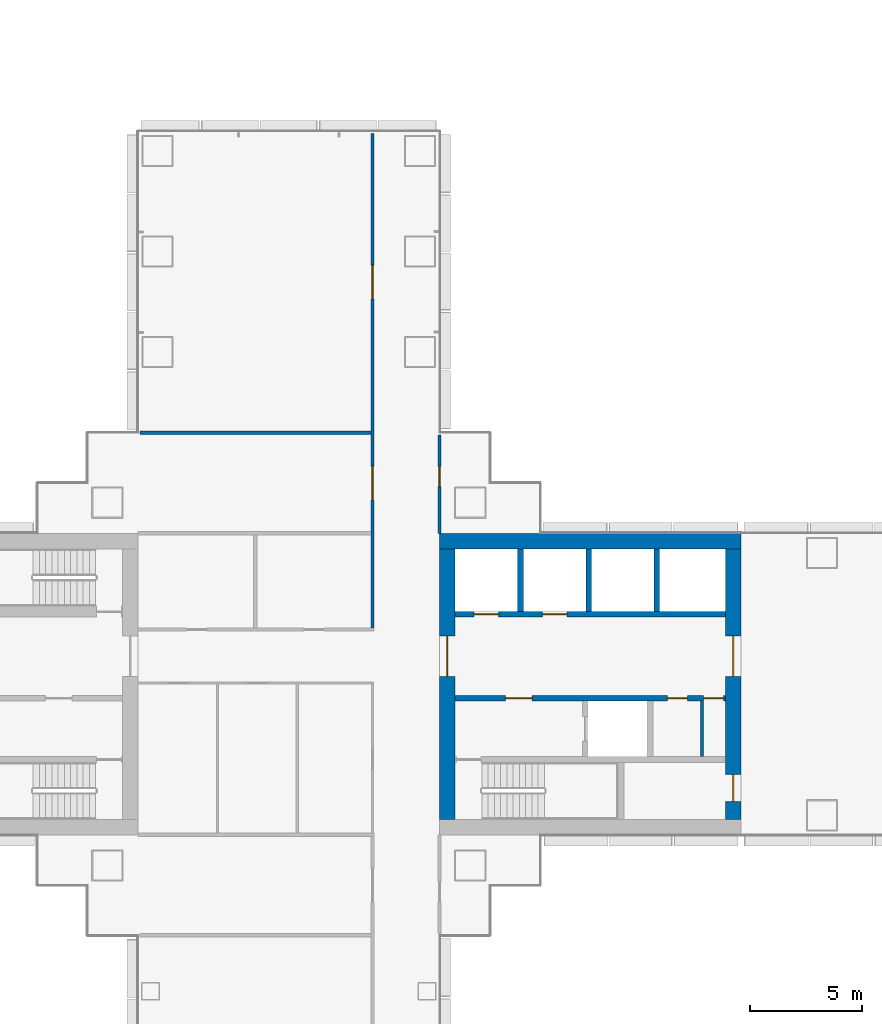
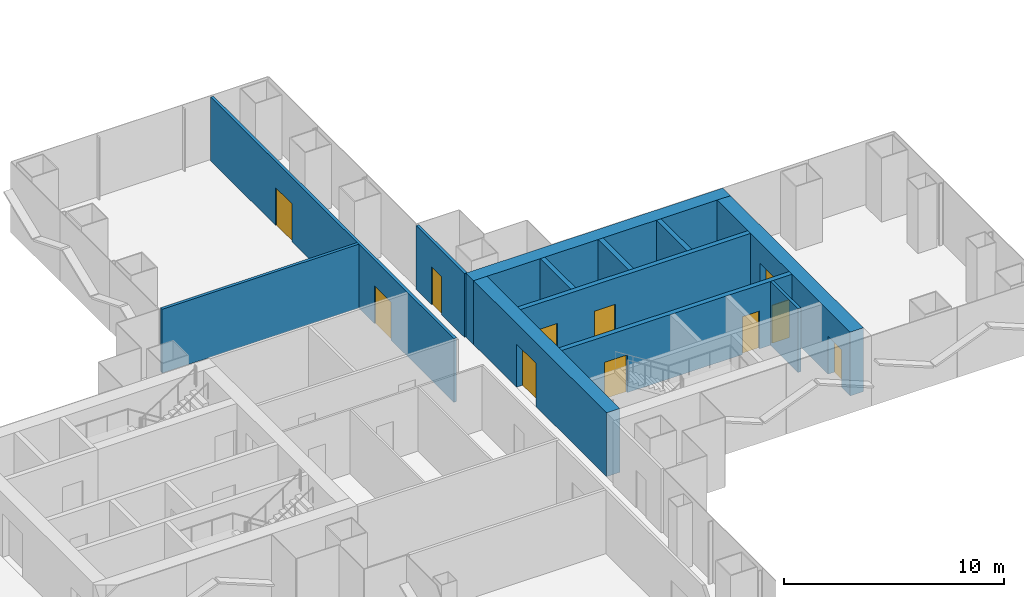
# One storey, part 14 of 21: 12 walls, 11 doors, 11 openings.
"""IFC4 building model written with IfcOpenShell, lengths in metres."""

from ifc_helpers import new_model, si_unit, direction, frame, frame_2d, origin, place, context, subcontext, project, spatial, rectangle, extrude, material, layer, layer_set, type_object, element, fill, save


model = new_model("IFC4")

# Units and contexts
model_context = context("Model", 3, precision=1e-05, world=origin(), true_north=direction((0.0, 1.0)))
body_context = subcontext(model_context, "Body", "Model", "MODEL_VIEW")
ifc_project = project(units=[si_unit("LENGTHUNIT", "METRE"), si_unit("AREAUNIT", "SQUARE_METRE"), si_unit("VOLUMEUNIT", "CUBIC_METRE"), si_unit("PLANEANGLEUNIT", "RADIAN"), si_unit("MASSUNIT", "GRAM", prefix="KILO")], contexts=[model_context])

# Site, building, storey
site_placement = place(None, origin())
site = spatial("IfcSite", under=ifc_project, at=site_placement, CompositionType="ELEMENT")
building_placement = place(site_placement, origin())
building = spatial("IfcBuilding", under=site, at=building_placement, Name="Shamsa Quay Exchange Towers", CompositionType="ELEMENT")
storey_placement = place(building_placement, frame((0.0, 0.0, 57.60009765625)))
storey = spatial("IfcBuildingStorey", under=building, at=storey_placement, Name="L12", CompositionType="ELEMENT", Elevation=57.60009765625)

# Wall
ifc_material_1 = material(Name="Concrete C80/95", Category="concrete")
ifc_layer_1 = layer(ifc_material_1, 0.699951171875)
ifc_layer_set_1 = layer_set([ifc_layer_1], Name="CORE WALL 700 C80/95")
wall_type_1 = type_object("IfcWallType", Name="CORE WALL 700 C80/95", PredefinedType="SHEAR", material=ifc_layer_set_1)
wall_1_placement = place(storey_placement, frame((-27.0, 6.39990234375, 0.0)))
element("IfcWall", 1, at=wall_1_placement, inside=storey, type_object=wall_type_1, Name="Core wall T1A-R05-PN", PredefinedType="SHEAR", context=body_context, shape_type="SweptSolid", body=[
    extrude(rectangle(XDim=13.5, YDim=0.699951171875, at=frame_2d((6.75, 0.0))), origin(), (0.0, 0.0, 1.0), 3.5498046875),
])

# Wall, opening, door
wall_2_placement = place(storey_placement, frame((-26.64990234375, 6.050048828125, 0.0), z_axis=(0.0, 0.0, 1.0), x_axis=(0.0, -1.0, 0.0)))
wall_2 = element("IfcWall", 2, at=wall_2_placement, inside=storey, type_object=wall_type_1, Name="Core wall T1A-R05-PF", PredefinedType="SHEAR", context=body_context, shape_type="SweptSolid", body=[
    extrude(rectangle(XDim=12.10009765625, YDim=0.699951171875, at=frame_2d((6.050048828125, 0.0))), origin(), (0.0, 0.0, 1.0), 3.5498046875),
])
opening_1_placement = place(wall_2_placement, frame((3.89990234375, 0.0, 0.0)))
opening_1 = element("IfcOpeningElement", 3, at=opening_1_placement, cuts=wall_2, Name="Opening T1A-R05-LBD01", PredefinedType="OPENING", context=body_context, shape_type="SweptSolid", body=[
    extrude(rectangle(XDim=1.800048828125, YDim=2.39990234375, at=frame_2d((0.89990234375, 1.199951171875))), frame((0.0, 0.35986328125, 0.0), z_axis=(0.0, -1.0, 0.0), x_axis=(1.0, 0.0, 0.0)), (0.0, 0.0, 1.0), 0.719970703125),
])
ifc_material_2 = material(Name="Steel, fire rated", Category="steel")
door_type_1 = type_object("IfcDoorType", Name="LIFT LOBBY DOOR PAIR 1800", OperationType="DOUBLE_DOOR_SINGLE_SWING", PredefinedType="DOOR", material=ifc_material_2)
door_1_placement = place(opening_1_placement, origin())
door_1 = element("IfcDoor", 4, at=door_1_placement, inside=storey, type_object=door_type_1, Name="T1A-R05-LBD01", OperationType="DOUBLE_DOOR_SINGLE_SWING", OverallHeight=2.39990234375, OverallWidth=1.800048828125, PredefinedType="DOOR", context=body_context, shape_type="SweptSolid", body=[
    extrude(rectangle(XDim=1.800048828125, YDim=2.39990234375, at=frame_2d((0.89990234375, 1.199951171875))), frame((0.0, 0.02490234375, 0.0), z_axis=(0.0, -1.0, 0.0), x_axis=(1.0, 0.0, 0.0)), (0.0, 0.0, 1.0), 0.050048828125),
])
fill(opening_1, door_1)

# Wall, openings, doors
wall_3_placement = place(storey_placement, frame((-13.85009765625, 6.050048828125, 0.0), z_axis=(0.0, 0.0, 1.0), x_axis=(0.0, -1.0, 0.0)))
wall_3 = element("IfcWall", 5, at=wall_3_placement, inside=storey, type_object=wall_type_1, Name="Core wall T1A-R05-PB", PredefinedType="SHEAR", context=body_context, shape_type="SweptSolid", body=[
    extrude(rectangle(XDim=12.10009765625, YDim=0.699951171875, at=frame_2d((6.050048828125, 0.0))), origin(), (0.0, 0.0, 1.0), 3.5498046875),
])
opening_2_placement = place(wall_3_placement, frame((10.10009765625, 0.0, 0.0)))
opening_2 = element("IfcOpeningElement", 6, at=opening_2_placement, cuts=wall_3, Name="Opening T1A-R05-RD02", PredefinedType="OPENING", context=body_context, shape_type="SweptSolid", body=[
    extrude(rectangle(XDim=1.199951171875, YDim=2.10009765625, at=frame_2d((0.60009765625, 1.050048828125))), frame((0.0, 0.35986328125, 0.0), z_axis=(0.0, -1.0, 0.0), x_axis=(1.0, 0.0, 0.0)), (0.0, 0.0, 1.0), 0.719970703125),
])
opening_3_placement = place(wall_3_placement, frame((3.89990234375, 0.0, 0.0)))
opening_3 = element("IfcOpeningElement", 7, at=opening_3_placement, cuts=wall_3, Name="Opening T1A-R05-LBD03", PredefinedType="OPENING", context=body_context, shape_type="SweptSolid", body=[
    extrude(rectangle(XDim=1.800048828125, YDim=2.39990234375, at=frame_2d((0.89990234375, 1.199951171875))), frame((0.0, 0.35986328125, 0.0), z_axis=(0.0, -1.0, 0.0), x_axis=(1.0, 0.0, 0.0)), (0.0, 0.0, 1.0), 0.719970703125),
])
door_2_placement = place(opening_3_placement, origin())
door_2 = element("IfcDoor", 8, at=door_2_placement, inside=storey, type_object=door_type_1, Name="T1A-R05-LBD03", OperationType="DOUBLE_DOOR_SINGLE_SWING", OverallHeight=2.39990234375, OverallWidth=1.800048828125, PredefinedType="DOOR", context=body_context, shape_type="SweptSolid", body=[
    extrude(rectangle(XDim=1.800048828125, YDim=2.39990234375, at=frame_2d((0.89990234375, 1.199951171875))), frame((0.0, 0.02490234375, 0.0), z_axis=(0.0, -1.0, 0.0), x_axis=(1.0, 0.0, 0.0)), (0.0, 0.0, 1.0), 0.050048828125),
])
fill(opening_3, door_2)
door_type_2 = type_object("IfcDoorType", Name="RISER ACCESS DOOR 1200", OperationType="SINGLE_SWING_LEFT", PredefinedType="DOOR", material=ifc_material_2)
door_3_placement = place(opening_2_placement, origin())
door_3 = element("IfcDoor", 9, at=door_3_placement, inside=storey, type_object=door_type_2, Name="T1A-R05-RD02", OperationType="SINGLE_SWING_RIGHT", OverallHeight=2.10009765625, OverallWidth=1.199951171875, PredefinedType="DOOR", context=body_context, shape_type="SweptSolid", body=[
    extrude(rectangle(XDim=1.199951171875, YDim=2.10009765625, at=frame_2d((0.60009765625, 1.050048828125))), frame((0.0, 0.02490234375, 0.0), z_axis=(0.0, -1.0, 0.0), x_axis=(1.0, 0.0, 0.0)), (0.0, 0.0, 1.0), 0.050048828125),
])
fill(opening_2, door_3)

# Wall
ifc_material_3 = material(Name="Gypsum board on steel studs, EI 60", Category="steel")
ifc_layer_2 = layer(ifc_material_3, 0.14990234375)
ifc_layer_set_2 = layer_set([ifc_layer_2], Name="FIRE PARTITION 150")
wall_type_2 = type_object("IfcWallType", Name="FIRE PARTITION 150", PredefinedType="PARTITIONING", material=ifc_layer_set_2)
wall_4_placement = place(storey_placement, frame((-15.25, -3.25, 0.0), z_axis=(0.0, 0.0, 1.0), x_axis=(0.0, 1.0, 0.0)))
element("IfcWall", 10, at=wall_4_placement, inside=storey, type_object=wall_type_2, Name="Partition T1A-R05-EC0", PredefinedType="PARTITIONING", context=body_context, shape_type="SweptSolid", body=[
    extrude(rectangle(XDim=2.5, YDim=0.14990234375, at=frame_2d((1.25, 0.0))), origin(), (0.0, 0.0, 1.0), 3.5498046875),
])

# Wall, openings, doors
ifc_material_4 = material(Name="Gypsum board partition on metal studs")
ifc_layer_3 = layer(ifc_material_4, 0.14990234375)
ifc_layer_set_3 = layer_set([ifc_layer_3], Name="Partition 150 mm EI 60")
wall_type_3 = type_object("IfcWallType", Name="Partition 150 mm EI 60", PredefinedType="PARTITIONING", material=ifc_layer_set_3)
wall_5_placement = place(storey_placement, frame((-30.0, 2.525146484375, 0.0), z_axis=(0.0, 0.0, 1.0), x_axis=(0.0, 1.0, 0.0)))
wall_5 = element("IfcWall", 11, at=wall_5_placement, inside=storey, type_object=wall_type_3, Name="Partition T1-R05-W02", PredefinedType="PARTITIONING", context=body_context, shape_type="SweptSolid", body=[
    extrude(rectangle(XDim=22.1298828125, YDim=0.14990234375, at=frame_2d((11.06494140625, 0.0))), origin(), (0.0, 0.0, 1.0), 3.5498046875),
])
opening_4_placement = place(wall_5_placement, frame((5.724853515625, 0.0, 0.0)))
opening_4 = element("IfcOpeningElement", 12, at=opening_4_placement, cuts=wall_5, Name="Opening T1-R05-D08", PredefinedType="OPENING", context=body_context, shape_type="SweptSolid", body=[
    extrude(rectangle(XDim=1.5, YDim=2.10009765625, at=frame_2d((0.75, 1.050048828125))), frame((0.0, 0.0849609375, 0.0), z_axis=(0.0, -1.0, 0.0), x_axis=(1.0, 0.0, 0.0)), (0.0, 0.0, 1.0), 0.169921875),
])
opening_5_placement = place(wall_5_placement, frame((14.724853515625, 0.0, 0.0)))
opening_5 = element("IfcOpeningElement", 13, at=opening_5_placement, cuts=wall_5, Name="Opening T1-R05-D09", PredefinedType="OPENING", context=body_context, shape_type="SweptSolid", body=[
    extrude(rectangle(XDim=1.5, YDim=2.10009765625, at=frame_2d((0.75, 1.050048828125))), frame((0.0, 0.0849609375, 0.0), z_axis=(0.0, -1.0, 0.0), x_axis=(1.0, 0.0, 0.0)), (0.0, 0.0, 1.0), 0.169921875),
])
ifc_material_5 = material(Name="Timber door leaf in a metal frame", Category="wood")
door_type_3 = type_object("IfcDoorType", Name="Door 1500x2100 FD30S pair", OperationType="NOTDEFINED", PredefinedType="DOOR", material=ifc_material_5)
door_4_placement = place(opening_4_placement, origin())
door_4 = element("IfcDoor", 14, at=door_4_placement, inside=storey, type_object=door_type_3, Name="Door T1-R05-D08", OperationType="DOUBLE_DOOR_SINGLE_SWING", OverallHeight=2.10009765625, OverallWidth=1.5, PredefinedType="DOOR", context=body_context, shape_type="SweptSolid", body=[
    extrude(rectangle(XDim=1.5, YDim=2.10009765625, at=frame_2d((0.75, 1.050048828125))), frame((0.0, 0.02490234375, 0.0), z_axis=(0.0, -1.0, 0.0), x_axis=(1.0, 0.0, 0.0)), (0.0, 0.0, 1.0), 0.050048828125),
])
fill(opening_4, door_4)
door_5_placement = place(opening_5_placement, origin())
door_5 = element("IfcDoor", 15, at=door_5_placement, inside=storey, type_object=door_type_3, Name="Door T1-R05-D09", OperationType="DOUBLE_DOOR_SINGLE_SWING", OverallHeight=2.10009765625, OverallWidth=1.5, PredefinedType="DOOR", context=body_context, shape_type="SweptSolid", body=[
    extrude(rectangle(XDim=1.5, YDim=2.10009765625, at=frame_2d((0.75, 1.050048828125))), frame((0.0, 0.02490234375, 0.0), z_axis=(0.0, -1.0, 0.0), x_axis=(1.0, 0.0, 0.0)), (0.0, 0.0, 1.0), 0.050048828125),
])
fill(opening_5, door_5)

# Wall, opening, door
wall_6_placement = place(storey_placement, frame((-27.0, 11.155029296875, 0.0), z_axis=(0.0, 0.0, 1.0), x_axis=(0.0, -1.0, 0.0)))
wall_6 = element("IfcWall", 16, at=wall_6_placement, inside=storey, type_object=wall_type_3, Name="Partition T1-R05-W06", PredefinedType="PARTITIONING", context=body_context, shape_type="SweptSolid", body=[
    extrude(rectangle(XDim=4.405029296875, YDim=0.14990234375, at=frame_2d((2.20263671875, 0.0))), origin(), (0.0, 0.0, 1.0), 3.5498046875),
])
opening_6_placement = place(wall_6_placement, frame((1.405029296875, 0.0, 0.0)))
opening_6 = element("IfcOpeningElement", 17, at=opening_6_placement, cuts=wall_6, Name="Opening T1-R05-D11", PredefinedType="OPENING", context=body_context, shape_type="SweptSolid", body=[
    extrude(rectangle(XDim=0.89990234375, YDim=2.10009765625, at=frame_2d((0.449951171875, 1.050048828125))), frame((0.0, 0.0849609375, 0.0), z_axis=(0.0, -1.0, 0.0), x_axis=(1.0, 0.0, 0.0)), (0.0, 0.0, 1.0), 0.169921875),
])
door_type_4 = type_object("IfcDoorType", Name="Door 900x2100 FD30S", OperationType="NOTDEFINED", PredefinedType="DOOR", material=ifc_material_5)
door_6_placement = place(opening_6_placement, origin())
door_6 = element("IfcDoor", 18, at=door_6_placement, inside=storey, type_object=door_type_4, Name="Door T1-R05-D11", OperationType="SINGLE_SWING_LEFT", OverallHeight=2.10009765625, OverallWidth=0.89990234375, PredefinedType="DOOR", context=body_context, shape_type="SweptSolid", body=[
    extrude(rectangle(XDim=0.89990234375, YDim=2.10009765625, at=frame_2d((0.449951171875, 1.050048828125))), frame((0.0, 0.02490234375, 0.0), z_axis=(0.0, -1.0, 0.0), x_axis=(1.0, 0.0, 0.0)), (0.0, 0.0, 1.0), 0.050048828125),
])
fill(opening_6, door_6)

# Wall
wall_7_placement = place(storey_placement, frame((-30.074951171875, 11.25, 0.0), z_axis=(0.0, 0.0, 1.0), x_axis=(-1.0, 0.0, 0.0)))
element("IfcWall", 19, at=wall_7_placement, inside=storey, type_object=wall_type_3, Name="Partition T1-R05-W08", PredefinedType="PARTITIONING", context=body_context, shape_type="SweptSolid", body=[
    extrude(rectangle(XDim=10.330078125, YDim=0.14990234375, at=frame_2d((5.1650390625, 0.0))), origin(), (0.0, 0.0, 1.0), 3.5498046875),
])

# Wall, openings, doors
ifc_material_6 = material(Name="Concrete C50/60", Category="concrete")
ifc_layer_4 = layer(ifc_material_6, 0.25)
ifc_layer_set_4 = layer_set([ifc_layer_4], Name="SHAFT WALL 250 C50/60")
wall_type_4 = type_object("IfcWallType", Name="SHAFT WALL 250 C50/60", PredefinedType="SHEAR", material=ifc_layer_set_4)
wall_8_placement = place(storey_placement, frame((-14.199951171875, -0.625, 0.0), z_axis=(0.0, 0.0, 1.0), x_axis=(-1.0, 0.0, 0.0)))
wall_8 = element("IfcWall", 20, at=wall_8_placement, inside=storey, type_object=wall_type_4, Name="Shaft wall T1A-R05-B", PredefinedType="SHEAR", context=body_context, shape_type="SweptSolid", body=[
    extrude(rectangle(XDim=12.10009765625, YDim=0.25, at=frame_2d((6.050048828125, 0.0))), origin(), (0.0, 0.0, 1.0), 3.5498046875),
])
opening_7_placement = place(wall_8_placement, frame((8.64990234375, 0.0, 0.0)))
opening_7 = element("IfcOpeningElement", 21, at=opening_7_placement, cuts=wall_8, Name="Opening T1A-R05-FD05", PredefinedType="OPENING", context=body_context, shape_type="SweptSolid", body=[
    extrude(rectangle(XDim=1.199951171875, YDim=2.10009765625, at=frame_2d((0.60009765625, 1.050048828125))), frame((0.0, 0.135009765625, 0.0), z_axis=(0.0, -1.0, 0.0), x_axis=(1.0, 0.0, 0.0)), (0.0, 0.0, 1.0), 0.27001953125),
])
opening_8_placement = place(wall_8_placement, frame((1.699951171875, 0.0, 0.0)))
opening_8 = element("IfcOpeningElement", 22, at=opening_8_placement, cuts=wall_8, Name="Opening T1A-R05-SV06", PredefinedType="OPENING", context=body_context, shape_type="SweptSolid", body=[
    extrude(rectangle(XDim=0.89990234375, YDim=2.10009765625, at=frame_2d((0.449951171875, 1.050048828125))), frame((0.0, 0.135009765625, 0.0), z_axis=(0.0, -1.0, 0.0), x_axis=(1.0, 0.0, 0.0)), (0.0, 0.0, 1.0), 0.27001953125),
])
opening_9_placement = place(wall_8_placement, frame((0.074951171875, 0.0, 0.0)))
opening_9 = element("IfcOpeningElement", 23, at=opening_9_placement, cuts=wall_8, Name="Opening T1A-R05-SV07", PredefinedType="OPENING", context=body_context, shape_type="SweptSolid", body=[
    extrude(rectangle(XDim=0.89990234375, YDim=2.10009765625, at=frame_2d((0.449951171875, 1.050048828125))), frame((0.0, 0.135009765625, 0.0), z_axis=(0.0, -1.0, 0.0), x_axis=(1.0, 0.0, 0.0)), (0.0, 0.0, 1.0), 0.27001953125),
])
door_type_5 = type_object("IfcDoorType", Name="FIRE SERVICE LOBBY DOOR 1200", OperationType="SINGLE_SWING_LEFT", PredefinedType="DOOR", material=ifc_material_2)
door_7_placement = place(opening_7_placement, origin())
door_7 = element("IfcDoor", 24, at=door_7_placement, inside=storey, type_object=door_type_5, Name="T1A-R05-FD05", OperationType="SINGLE_SWING_RIGHT", OverallHeight=2.10009765625, OverallWidth=1.199951171875, PredefinedType="DOOR", context=body_context, shape_type="SweptSolid", body=[
    extrude(rectangle(XDim=1.199951171875, YDim=2.10009765625, at=frame_2d((0.60009765625, 1.050048828125))), frame((0.0, 0.02490234375, 0.0), z_axis=(0.0, -1.0, 0.0), x_axis=(1.0, 0.0, 0.0)), (0.0, 0.0, 1.0), 0.050048828125),
])
fill(opening_7, door_7)
door_type_6 = type_object("IfcDoorType", Name="SERVICE ROOM DOOR 900", OperationType="SINGLE_SWING_LEFT", PredefinedType="DOOR", material=ifc_material_2)
door_8_placement = place(opening_8_placement, origin())
door_8 = element("IfcDoor", 25, at=door_8_placement, inside=storey, type_object=door_type_6, Name="T1A-R05-SV06", OperationType="SINGLE_SWING_LEFT", OverallHeight=2.10009765625, OverallWidth=0.89990234375, PredefinedType="DOOR", context=body_context, shape_type="SweptSolid", body=[
    extrude(rectangle(XDim=0.89990234375, YDim=2.10009765625, at=frame_2d((0.449951171875, 1.050048828125))), frame((0.0, 0.02490234375, 0.0), z_axis=(0.0, -1.0, 0.0), x_axis=(1.0, 0.0, 0.0)), (0.0, 0.0, 1.0), 0.050048828125),
])
fill(opening_8, door_8)
door_9_placement = place(opening_9_placement, origin())
door_9 = element("IfcDoor", 26, at=door_9_placement, inside=storey, type_object=door_type_6, Name="T1A-R05-SV07", OperationType="SINGLE_SWING_LEFT", OverallHeight=2.10009765625, OverallWidth=0.89990234375, PredefinedType="DOOR", context=body_context, shape_type="SweptSolid", body=[
    extrude(rectangle(XDim=0.89990234375, YDim=2.10009765625, at=frame_2d((0.449951171875, 1.050048828125))), frame((0.0, 0.02490234375, 0.0), z_axis=(0.0, -1.0, 0.0), x_axis=(1.0, 0.0, 0.0)), (0.0, 0.0, 1.0), 0.050048828125),
])
fill(opening_9, door_9)

wall_9_placement = place(storey_placement, frame((-26.300048828125, 3.125, 0.0)))
wall_9 = element("IfcWall", 27, at=wall_9_placement, inside=storey, type_object=wall_type_4, Name="Shaft wall T1A-R05-N", PredefinedType="SHEAR", context=body_context, shape_type="SweptSolid", body=[
    extrude(rectangle(XDim=12.10009765625, YDim=0.25, at=frame_2d((6.050048828125, 0.0))), origin(), (0.0, 0.0, 1.0), 3.5498046875),
])
opening_10_placement = place(wall_9_placement, frame((0.85009765625, 0.0, 0.0)))
opening_10 = element("IfcOpeningElement", 28, at=opening_10_placement, cuts=wall_9, Name="Opening T1A-R05-LD09", PredefinedType="OPENING", context=body_context, shape_type="SweptSolid", body=[
    extrude(rectangle(XDim=1.10009765625, YDim=2.10009765625, at=frame_2d((0.550048828125, 1.050048828125))), frame((0.0, 0.135009765625, 0.0), z_axis=(0.0, -1.0, 0.0), x_axis=(1.0, 0.0, 0.0)), (0.0, 0.0, 1.0), 0.27001953125),
])
opening_11_placement = place(wall_9_placement, frame((3.89990234375, 0.0, 0.0)))
opening_11 = element("IfcOpeningElement", 29, at=opening_11_placement, cuts=wall_9, Name="Opening T1A-R05-LD10", PredefinedType="OPENING", context=body_context, shape_type="SweptSolid", body=[
    extrude(rectangle(XDim=1.10009765625, YDim=2.10009765625, at=frame_2d((0.550048828125, 1.050048828125))), frame((0.0, 0.135009765625, 0.0), z_axis=(0.0, -1.0, 0.0), x_axis=(1.0, 0.0, 0.0)), (0.0, 0.0, 1.0), 0.27001953125),
])
door_type_7 = type_object("IfcDoorType", Name="LANDING DOOR 1100", OperationType="SLIDING_TO_LEFT", PredefinedType="DOOR", material=ifc_material_2)
door_10_placement = place(opening_10_placement, origin())
door_10 = element("IfcDoor", 30, at=door_10_placement, inside=storey, type_object=door_type_7, Name="T1A-R05-LD09", OperationType="SLIDING_TO_LEFT", OverallHeight=2.10009765625, OverallWidth=1.10009765625, PredefinedType="DOOR", context=body_context, shape_type="SweptSolid", body=[
    extrude(rectangle(XDim=1.10009765625, YDim=2.10009765625, at=frame_2d((0.550048828125, 1.050048828125))), frame((0.0, 0.02490234375, 0.0), z_axis=(0.0, -1.0, 0.0), x_axis=(1.0, 0.0, 0.0)), (0.0, 0.0, 1.0), 0.050048828125),
])
fill(opening_10, door_10)
door_11_placement = place(opening_11_placement, origin())
door_11 = element("IfcDoor", 31, at=door_11_placement, inside=storey, type_object=door_type_7, Name="T1A-R05-LD10", OperationType="SLIDING_TO_LEFT", OverallHeight=2.10009765625, OverallWidth=1.10009765625, PredefinedType="DOOR", context=body_context, shape_type="SweptSolid", body=[
    extrude(rectangle(XDim=1.10009765625, YDim=2.10009765625, at=frame_2d((0.550048828125, 1.050048828125))), frame((0.0, 0.02490234375, 0.0), z_axis=(0.0, -1.0, 0.0), x_axis=(1.0, 0.0, 0.0)), (0.0, 0.0, 1.0), 0.050048828125),
])
fill(opening_11, door_11)

# Walls
for number, where, z_axis, x_axis, name in (
    (32, (-23.375, 3.25, 0.0), (0.0, 0.0, 1.0), (0.0, 1.0, 0.0), "Shaft wall T1A-R05-D0"),
    (33, (-20.324951171875, 3.25, 0.0), (0.0, 0.0, 1.0), (0.0, 1.0, 0.0), "Shaft wall T1A-R05-D1"),
    (34, (-17.27490234375, 3.25, 0.0), (0.0, 0.0, 1.0), (0.0, 1.0, 0.0), "Shaft wall T1A-R05-D2"),
):
    element("IfcWall", number, at=place(storey_placement, frame(where, z_axis=z_axis, x_axis=x_axis)), inside=storey, type_object=wall_type_4, Name=name, PredefinedType="SHEAR", context=body_context, shape_type="SweptSolid", body=[
        extrude(rectangle(XDim=2.800048828125, YDim=0.25, at=frame_2d((1.39990234375, 0.0))), origin(), (0.0, 0.0, 1.0), 3.5498046875),
    ])

save(model, "model.ifc")
